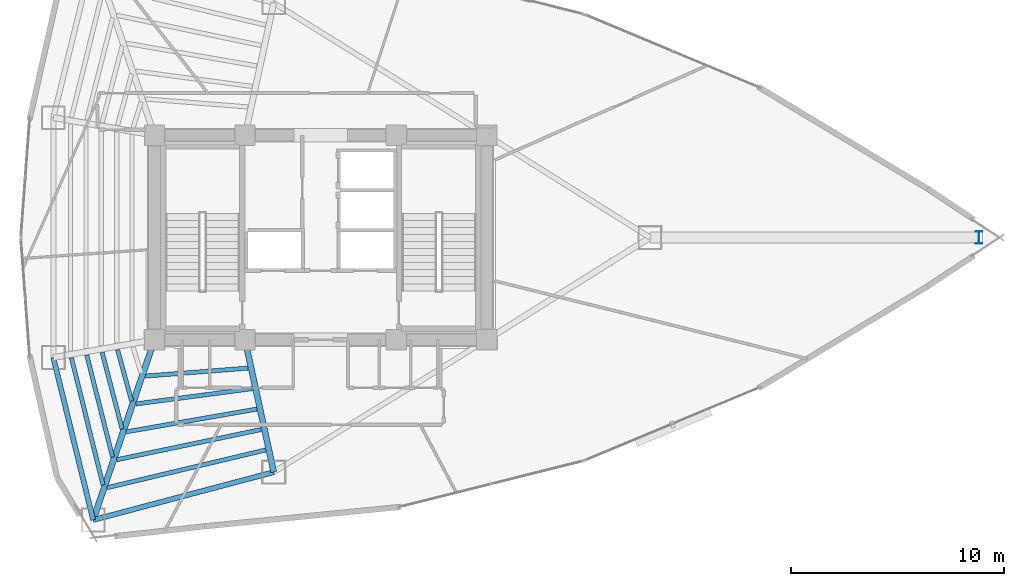
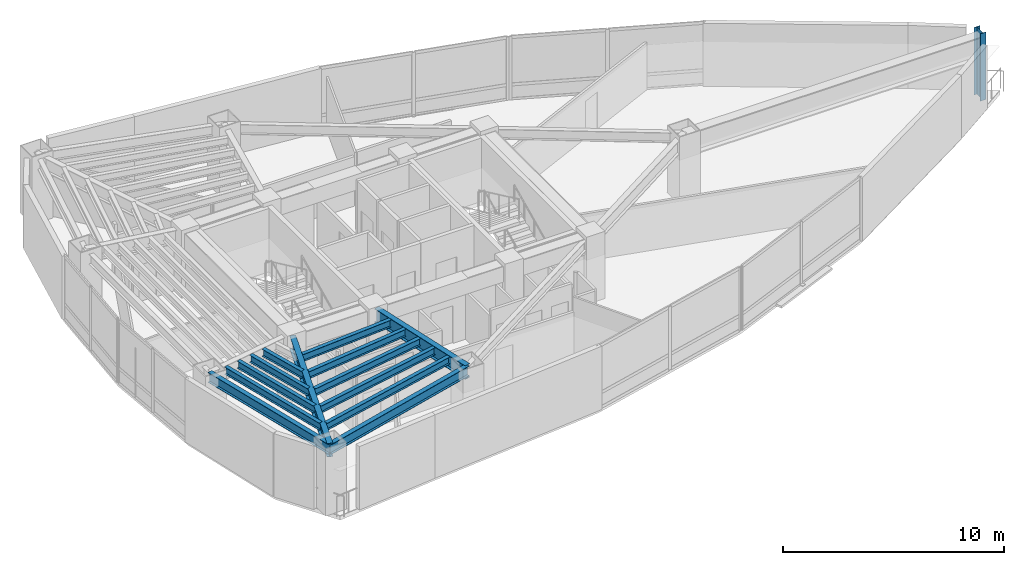
# One storey, part 2 of 18: 13 beams, 1 column.
"""IFC4 building model written with IfcOpenShell, lengths in metres."""

from ifc_helpers import new_model, si_unit, direction, frame, origin, origin_2d, place, context, subcontext, project, spatial, i_section, extrude, material, material_profile, profile_set, type_object, element, save


model = new_model("IFC4")

# Units and contexts
model_context = context("Model", 3, precision=1e-05, world=origin(), true_north=direction((0.0, 1.0)))
body_context = subcontext(model_context, "Body", "Model", "MODEL_VIEW")
ifc_project = project(units=[si_unit("LENGTHUNIT", "METRE"), si_unit("AREAUNIT", "SQUARE_METRE"), si_unit("VOLUMEUNIT", "CUBIC_METRE"), si_unit("PLANEANGLEUNIT", "RADIAN"), si_unit("MASSUNIT", "GRAM", prefix="KILO")], contexts=[model_context])

# Site, building, storey
site_placement = place(None, origin())
site = spatial("IfcSite", under=ifc_project, at=site_placement, CompositionType="ELEMENT")
building_placement = place(site_placement, origin())
building = spatial("IfcBuilding", under=site, at=building_placement, Name="Menara Vayukalpa", CompositionType="ELEMENT")
storey_placement = place(building_placement, frame((0.0, 0.0, 158.0400390625)))
storey = spatial("IfcBuildingStorey", under=building, at=storey_placement, Name="L39", CompositionType="ELEMENT", Elevation=158.0400390625)

# Column
ifc_material_1 = material(Name="Steel S460", Category="steel")
ifc_material_profile_1 = material_profile(ifc_material_1, i_section(OverallWidth=0.300048828125, OverallDepth=0.587890625, WebThickness=0.011962890625, FlangeThickness=0.02001953125, at=origin_2d()), Name="H 588x300x12x20")
ifc_profile_set_1 = profile_set([ifc_material_profile_1], Name="Steel S460")
column_type = type_object("IfcColumnType", Name="COL-SC1", PredefinedType="COLUMN", material=ifc_profile_set_1)
column_placement = place(storey_placement, frame((56.501953125, 22.0, 0.0), z_axis=(0.0, 0.0, 1.0), x_axis=(1.0, 0.0, 0.0)))
element("IfcColumn", 1, at=column_placement, inside=storey, type_object=column_type, Name="L39 SB3 Sky Bar Vierendeel Column SB01", PredefinedType="COLUMN", context=body_context, shape_type="SweptSolid", body=[
    extrude(i_section(OverallWidth=0.300048828125, OverallDepth=0.587890625, WebThickness=0.011962890625, FlangeThickness=0.02001953125, at=origin_2d()), origin(), (0.0, 0.0, 1.0), 3.719970703125),
])

# Beams
ifc_material_2 = material(Name="Steel S355", Category="steel")
ifc_material_profile_2 = material_profile(ifc_material_2, i_section(OverallWidth=0.280029296875, OverallDepth=0.75, WebThickness=0.013916015625, FlangeThickness=0.02490234375, at=origin_2d()), Name="WF 750x280x14x25")
ifc_profile_set_2 = profile_set([ifc_material_profile_2], Name="Steel S355")
beam_type_1 = type_object("IfcBeamType", Name="BM-PG4", PredefinedType="BEAM", material=ifc_profile_set_2)
beam_1_placement = place(storey_placement, frame((17.719482421875, 16.96337890625, 3.125), z_axis=(-0.322207533072, -0.946669058136, 0.0), x_axis=(0.946669058136, -0.322207533072, 0.0)))
element("IfcBeam", 2, at=beam_1_placement, inside=storey, type_object=beam_type_1, Name="L39 Primary Radial Girder RG07", PredefinedType="BEAM", context=body_context, shape_type="SweptSolid", body=[
    extrude(i_section(OverallWidth=0.280029296875, OverallDepth=0.75, WebThickness=0.013916015625, FlangeThickness=0.02490234375, at=origin_2d()), origin(), (0.0, 0.0, 1.0), 8.687255859375),
])
beam_2_placement = place(storey_placement, frame((22.10302734375, 16.955810546875, 3.125), z_axis=(0.211898459532, -0.9772916877, 0.0), x_axis=(0.9772916877, 0.211898459532, 0.0)))
element("IfcBeam", 3, at=beam_2_placement, inside=storey, type_object=beam_type_1, Name="L39 Primary Radial Girder RG08", PredefinedType="BEAM", context=body_context, shape_type="SweptSolid", body=[
    extrude(i_section(OverallWidth=0.280029296875, OverallDepth=0.75, WebThickness=0.013916015625, FlangeThickness=0.02490234375, at=origin_2d()), origin(), (0.0, 0.0, 1.0), 6.1064453125),
])
ifc_material_3 = material(Name="Steel S355", Category="steel")
ifc_material_profile_3 = material_profile(ifc_material_3, i_section(OverallWidth=0.199951171875, OverallDepth=0.39990234375, WebThickness=0.008056640625, FlangeThickness=0.012939453125, at=origin_2d()), Name="WF 400x200x8x13")
ifc_profile_set_3 = profile_set([ifc_material_profile_3], Name="Steel S355")
beam_type_2 = type_object("IfcBeamType", Name="BM-SJ2", PredefinedType="JOIST", material=ifc_profile_set_3)
beam_3_placement = place(storey_placement, frame((16.064453125, 16.734375, 3.300048828125), z_axis=(0.264264990211, -0.96445011014, 0.0), x_axis=(0.96445011014, 0.264264990211, 0.0)))
element("IfcBeam", 4, at=beam_3_placement, inside=storey, type_object=beam_type_2, Name="L39 Secondary Floor Joist SJ06-2", PredefinedType="JOIST", context=body_context, shape_type="SweptSolid", body=[
    extrude(i_section(OverallWidth=0.199951171875, OverallDepth=0.39990234375, WebThickness=0.008056640625, FlangeThickness=0.012939453125, at=origin_2d()), origin(), (0.0, 0.0, 1.0), 2.501708984375),
])
beam_4_placement = place(storey_placement, frame((15.341796875, 16.607666015625, 3.300048828125), z_axis=(0.25203199701, -0.967718901584, 0.0), x_axis=(0.967718901584, 0.25203199701, 0.0)))
element("IfcBeam", 5, at=beam_4_placement, inside=storey, type_object=beam_type_2, Name="L39 Secondary Floor Joist SJ06-3", PredefinedType="JOIST", context=body_context, shape_type="SweptSolid", body=[
    extrude(i_section(OverallWidth=0.199951171875, OverallDepth=0.39990234375, WebThickness=0.008056640625, FlangeThickness=0.012939453125, at=origin_2d()), origin(), (0.0, 0.0, 1.0), 3.7216796875),
])
beam_5_placement = place(storey_placement, frame((14.619873046875, 16.481201171875, 3.300048828125), z_axis=(0.245487100754, -0.969399857315, 0.0), x_axis=(0.969399857315, 0.245487100754, 0.0)))
element("IfcBeam", 6, at=beam_5_placement, inside=storey, type_object=beam_type_2, Name="L39 Secondary Floor Joist SJ06-4", PredefinedType="JOIST", context=body_context, shape_type="SweptSolid", body=[
    extrude(i_section(OverallWidth=0.199951171875, OverallDepth=0.39990234375, WebThickness=0.008056640625, FlangeThickness=0.012939453125, at=origin_2d()), origin(), (0.0, 0.0, 1.0), 4.941650390625),
])
beam_6_placement = place(storey_placement, frame((13.8984375, 16.35498046875, 3.300048828125), z_axis=(0.241360851184, -0.970435438098, 0.0), x_axis=(0.970435438098, 0.241360851184, 0.0)))
element("IfcBeam", 7, at=beam_6_placement, inside=storey, type_object=beam_type_2, Name="L39 Secondary Floor Joist SJ06-5", PredefinedType="JOIST", context=body_context, shape_type="SweptSolid", body=[
    extrude(i_section(OverallWidth=0.199951171875, OverallDepth=0.39990234375, WebThickness=0.008056640625, FlangeThickness=0.012939453125, at=origin_2d()), origin(), (0.0, 0.0, 1.0), 6.162109375),
])
beam_7_placement = place(storey_placement, frame((17.375244140625, 15.495361328125, 3.300048828125), z_axis=(0.996983386276, 0.077615252944, 0.0), x_axis=(-0.077615252944, 0.996983386276, 0.0)))
element("IfcBeam", 8, at=beam_7_placement, inside=storey, type_object=beam_type_2, Name="L39 Secondary Floor Joist SJ07-1", PredefinedType="JOIST", context=body_context, shape_type="SweptSolid", body=[
    extrude(i_section(OverallWidth=0.199951171875, OverallDepth=0.39990234375, WebThickness=0.008056640625, FlangeThickness=0.012939453125, at=origin_2d()), origin(), (0.0, 0.0, 1.0), 4.81591796875),
])
beam_8_placement = place(storey_placement, frame((16.926513671875, 14.18798828125, 3.300048828125), z_axis=(0.991462596105, 0.130391412773, 0.0), x_axis=(-0.130391412773, 0.991462596105, 0.0)))
element("IfcBeam", 9, at=beam_8_placement, inside=storey, type_object=beam_type_2, Name="L39 Secondary Floor Joist SJ07-2", PredefinedType="JOIST", context=body_context, shape_type="SweptSolid", body=[
    extrude(i_section(OverallWidth=0.199951171875, OverallDepth=0.39990234375, WebThickness=0.008056640625, FlangeThickness=0.012939453125, at=origin_2d()), origin(), (0.0, 0.0, 1.0), 5.504638671875),
])
beam_9_placement = place(storey_placement, frame((16.4775390625, 12.87890625, 3.300048828125), z_axis=(0.985157431798, 0.171653239334, 0.0), x_axis=(-0.171653239334, 0.985157431798, 0.0)))
element("IfcBeam", 10, at=beam_9_placement, inside=storey, type_object=beam_type_2, Name="L39 Secondary Floor Joist SJ07-3", PredefinedType="JOIST", context=body_context, shape_type="SweptSolid", body=[
    extrude(i_section(OverallWidth=0.199951171875, OverallDepth=0.39990234375, WebThickness=0.008056640625, FlangeThickness=0.012939453125, at=origin_2d()), origin(), (0.0, 0.0, 1.0), 6.206787109375),
])
beam_10_placement = place(storey_placement, frame((16.02880859375, 11.568359375, 3.300048828125), z_axis=(0.97882747282, 0.204687025611, 0.0), x_axis=(-0.204687025611, 0.97882747282, 0.0)))
element("IfcBeam", 11, at=beam_10_placement, inside=storey, type_object=beam_type_2, Name="L39 Secondary Floor Joist SJ07-4", PredefinedType="JOIST", context=body_context, shape_type="SweptSolid", body=[
    extrude(i_section(OverallWidth=0.199951171875, OverallDepth=0.39990234375, WebThickness=0.008056640625, FlangeThickness=0.012939453125, at=origin_2d()), origin(), (0.0, 0.0, 1.0), 6.91796875),
])
beam_11_placement = place(storey_placement, frame((15.580078125, 10.2568359375, 3.300048828125), z_axis=(0.972815476519, 0.231581624151, 0.0), x_axis=(-0.231581624151, 0.972815476519, 0.0)))
element("IfcBeam", 12, at=beam_11_placement, inside=storey, type_object=beam_type_2, Name="L39 Secondary Floor Joist SJ07-5", PredefinedType="JOIST", context=body_context, shape_type="SweptSolid", body=[
    extrude(i_section(OverallWidth=0.199951171875, OverallDepth=0.39990234375, WebThickness=0.008056640625, FlangeThickness=0.012939453125, at=origin_2d()), origin(), (0.0, 0.0, 1.0), 7.6357421875),
])
ifc_material_4 = material(Name="Steel S355", Category="steel")
ifc_material_profile_4 = material_profile(ifc_material_4, i_section(OverallWidth=0.239990234375, OverallDepth=0.550048828125, WebThickness=0.010986328125, FlangeThickness=0.01904296875, at=origin_2d()), Name="WF 550x240x11x19")
ifc_profile_set_4 = profile_set([ifc_material_profile_4], Name="Steel S355")
beam_type_3 = type_object("IfcBeamType", Name="BM-SP2", PredefinedType="SPANDREL", material=ifc_profile_set_4)
beam_12_placement = place(storey_placement, frame((13.049072265625, 16.3681640625, 3.224853515625), z_axis=(0.238240335346, -0.971206230733, 0.0), x_axis=(0.971206230733, 0.238240335346, 0.0)))
element("IfcBeam", 13, at=beam_12_placement, inside=storey, type_object=beam_type_3, Name="L39 Perimeter Spandrel Beam SP06", PredefinedType="SPANDREL", context=body_context, shape_type="SweptSolid", body=[
    extrude(i_section(OverallWidth=0.239990234375, OverallDepth=0.550048828125, WebThickness=0.010986328125, FlangeThickness=0.01904296875, at=origin_2d()), origin(), (0.0, 0.0, 1.0), 7.854736328125),
])
beam_13_placement = place(storey_placement, frame((14.92041015625, 8.739501953125, 3.224853515625), z_axis=(0.96657141455, 0.256397544009, 0.0), x_axis=(-0.256397544009, 0.96657141455, 0.0)))
element("IfcBeam", 14, at=beam_13_placement, inside=storey, type_object=beam_type_3, Name="L39 Perimeter Spandrel Beam SP07", PredefinedType="SPANDREL", context=body_context, shape_type="SweptSolid", body=[
    extrude(i_section(OverallWidth=0.239990234375, OverallDepth=0.550048828125, WebThickness=0.010986328125, FlangeThickness=0.01904296875, at=origin_2d()), origin(), (0.0, 0.0, 1.0), 8.769775390625),
])

save(model, "model.ifc")
